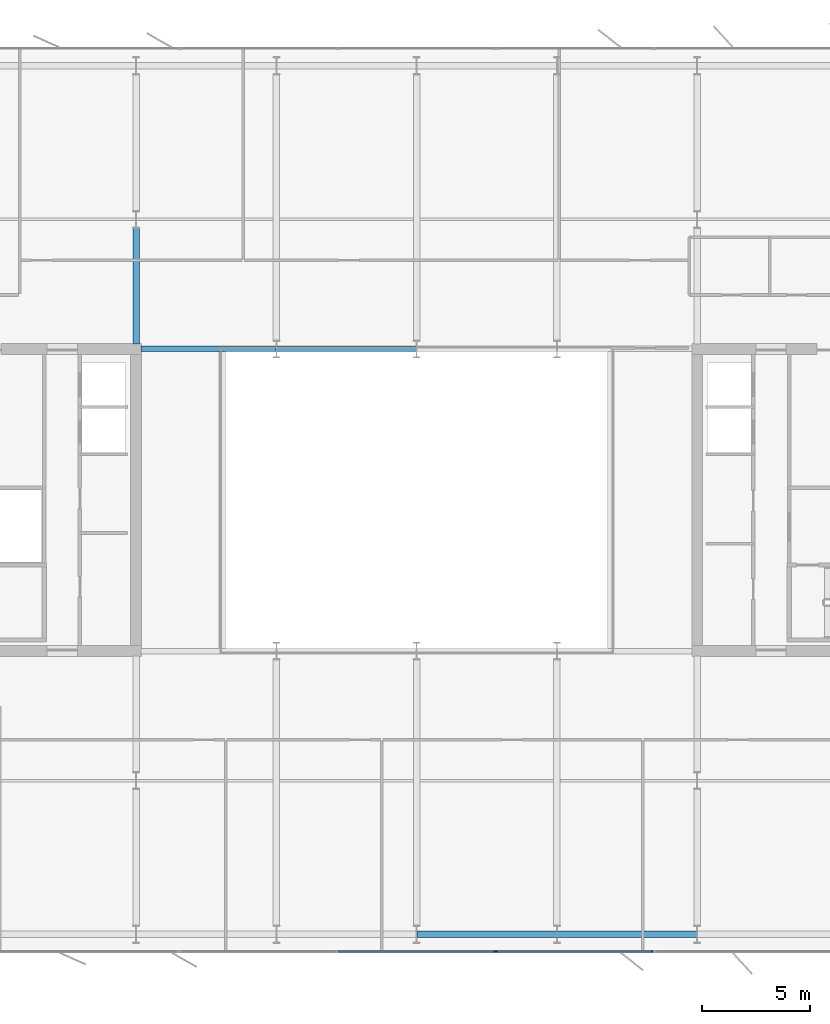
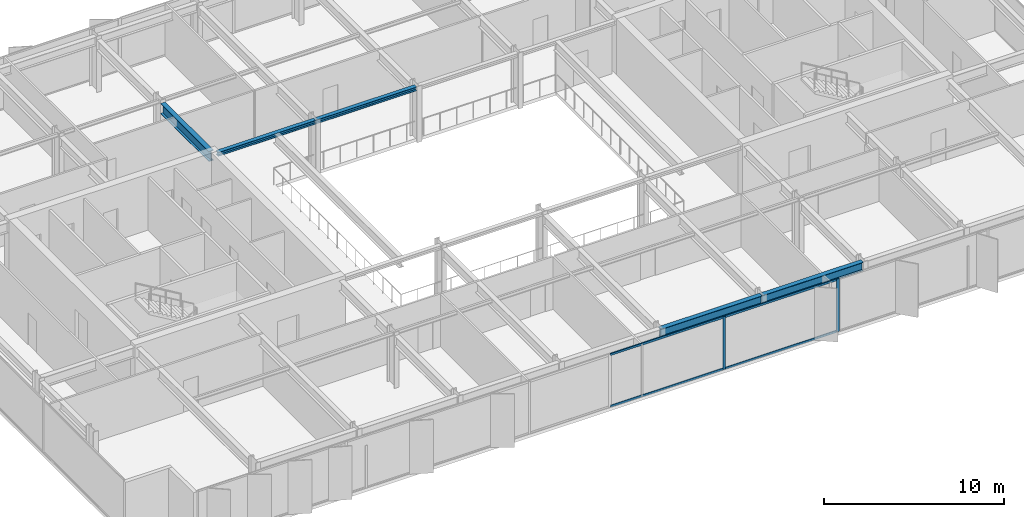
# One storey, part 6 of 23: 6 members, 5 beams, 1 element without a shape of its own.
"""IFC4 building model written with IfcOpenShell, lengths in metres."""

from ifc_helpers import new_model, si_unit, direction, frame, origin, origin_2d, place, context, subcontext, project, spatial, rectangle, i_section, extrude, material, layer, layer_set, material_profile, profile_set, type_object, element, aggregate, save


model = new_model("IFC4")

# Units and contexts
model_context = context("Model", 3, precision=1e-05, world=origin(), true_north=direction((0.0, 1.0)))
body_context = subcontext(model_context, "Body", "Model", "MODEL_VIEW")
ifc_project = project(units=[si_unit("LENGTHUNIT", "METRE"), si_unit("AREAUNIT", "SQUARE_METRE"), si_unit("VOLUMEUNIT", "CUBIC_METRE"), si_unit("PLANEANGLEUNIT", "RADIAN"), si_unit("MASSUNIT", "GRAM", prefix="KILO")], contexts=[model_context])

# Site, building, storey
site_placement = place(None, origin())
site = spatial("IfcSite", under=ifc_project, at=site_placement, CompositionType="ELEMENT")
building_placement = place(site_placement, origin())
building = spatial("IfcBuilding", under=site, at=building_placement, Name="Putna Gate Headquarters", CompositionType="ELEMENT")
storey_placement = place(building_placement, frame((0.0, 0.0, 210.0)))
storey = spatial("IfcBuildingStorey", under=building, at=storey_placement, Name="L52", CompositionType="ELEMENT", Elevation=210.0)

# Beams
ifc_material_1 = material(Name="Steel S355J2", Category="steel")
ifc_material_profile_1 = material_profile(ifc_material_1, i_section(OverallWidth=0.260009765625, OverallDepth=0.260009765625, WebThickness=0.010009765625, FlangeThickness=0.017578125, at=origin_2d()), Name="Steel S355J2")
ifc_profile_set_1 = profile_set([ifc_material_profile_1], Name="Steel S355J2")
beam_type_1 = type_object("IfcBeamType", Name="BM-ATRIUM-HEB260", PredefinedType="BEAM", material=ifc_profile_set_1)
beam_1_placement = place(storey_placement, frame((26.235107421875, 33.0, 3.449951171875), z_axis=(1.0, 0.0, 0.0), x_axis=(0.0, 1.0, 0.0)))
element("IfcBeam", 1, at=beam_1_placement, inside=storey, type_object=beam_type_1, Name="L52 Atrium Edge Beam AN1", PredefinedType="BEAM", context=body_context, shape_type="SweptSolid", body=[
    extrude(i_section(OverallWidth=0.260009765625, OverallDepth=0.260009765625, WebThickness=0.010009765625, FlangeThickness=0.017578125, at=origin_2d()), origin(), (0.0, 0.0, 1.0), 6.2587890625),
])
beam_2_placement = place(storey_placement, frame((32.506103515625, 33.0, 3.449951171875), z_axis=(1.0, 0.0, 0.0), x_axis=(0.0, 1.0, 0.0)))
element("IfcBeam", 2, at=beam_2_placement, inside=storey, type_object=beam_type_1, Name="L52 Atrium Edge Beam AN2", PredefinedType="BEAM", context=body_context, shape_type="SweptSolid", body=[
    extrude(i_section(OverallWidth=0.260009765625, OverallDepth=0.260009765625, WebThickness=0.010009765625, FlangeThickness=0.017578125, at=origin_2d()), origin(), (0.0, 0.0, 1.0), 6.48779296875),
])
ifc_material_profile_2 = material_profile(ifc_material_1, i_section(OverallWidth=0.300048828125, OverallDepth=0.699951171875, WebThickness=0.01708984375, FlangeThickness=0.031982421875, at=origin_2d()), Name="Steel S355J2")
ifc_profile_set_2 = profile_set([ifc_material_profile_2], Name="Steel S355J2")
beam_type_2 = type_object("IfcBeamType", Name="BM-GIRD-B-HEB700", PredefinedType="USERDEFINED", material=ifc_profile_set_2)
beam_3_placement = place(storey_placement, frame((26.0, 33.235107421875, 3.22998046875), z_axis=(0.0, 1.0, 0.0), x_axis=(-1.0, 0.0, 0.0)))
element("IfcBeam", 3, at=beam_3_placement, inside=storey, type_object=beam_type_2, Name="L52 North Primary Girder X26-1", ObjectType="GIRDER", PredefinedType="USERDEFINED", context=body_context, shape_type="SweptSolid", body=[
    extrude(i_section(OverallWidth=0.300048828125, OverallDepth=0.699951171875, WebThickness=0.01708984375, FlangeThickness=0.031982421875, at=origin_2d()), origin(), (0.0, 0.0, 1.0), 5.369873046875),
])
ifc_material_profile_3 = material_profile(ifc_material_1, i_section(OverallWidth=0.300048828125, OverallDepth=0.590087890625, WebThickness=0.012939453125, FlangeThickness=0.02490234375, at=origin_2d()), Name="Steel S355J2")
ifc_profile_set_3 = profile_set([ifc_material_profile_3], Name="Steel S355J2")
beam_type_3 = type_object("IfcBeamType", Name="BM-SPAN-Z4-HEA600", PredefinedType="SPANDREL", material=ifc_profile_set_3)
for number, where, z_axis, x_axis, name in (
    (4, (39.006103515625, 5.8798828125, 3.284912109375), (1.0, 0.0, 0.0), (0.0, 1.0, 0.0), "L52 S Perimeter Spandrel 5"),
    (5, (45.506103515625, 5.8798828125, 3.284912109375), (1.0, 0.0, 0.0), (0.0, 1.0, 0.0), "L52 S Perimeter Spandrel 6"),
):
    element("IfcBeam", number, at=place(storey_placement, frame(where, z_axis=z_axis, x_axis=x_axis)), inside=storey, type_object=beam_type_3, Name=name, PredefinedType="SPANDREL", context=body_context, shape_type="SweptSolid", body=[
        extrude(i_section(OverallWidth=0.300048828125, OverallDepth=0.590087890625, WebThickness=0.012939453125, FlangeThickness=0.02490234375, at=origin_2d()), origin(), (0.0, 0.0, 1.0), 6.48779296875),
    ])

# Curtain wall, members
ifc_material_2 = material(Name="Anodised bronze aluminium curtain wall", Category="aluminium")
ifc_layer = layer(ifc_material_2, 0.179931640625)
ifc_layer_set = layer_set([ifc_layer], Name="Anodised bronze aluminium curtain wall")
curtain_wall_type = type_object("IfcCurtainWallType", Name="CW-SYS-ATR", PredefinedType="USERDEFINED", material=ifc_layer_set)
curtain_wall_placement = place(storey_placement, origin())
curtain_wall = element("IfcCurtainWall", 6, at=curtain_wall_placement, inside=storey, type_object=curtain_wall_type, Name="L52 South Atrium Clear Glazing", ObjectType="ATRIUM GLAZING", PredefinedType="USERDEFINED")
ifc_material_3 = material(Name="Anodised bronze aluminium EN AW-6060", Category="aluminium")
ifc_material_profile_4 = material_profile(ifc_material_3, rectangle(XDim=0.070068359375, YDim=0.179931640625, at=origin_2d()), Name="Anodised bronze aluminium EN AW-6060")
ifc_profile_set_4 = profile_set([ifc_material_profile_4], Name="Anodised bronze aluminium EN AW-6060")
member_type_1 = type_object("IfcMemberType", Name="MULL-CWM-AT", PredefinedType="MULLION", material=ifc_profile_set_4)
member_1_placement = place(storey_placement, frame((42.666748046875, 5.080078125, 0.0), z_axis=(0.0, 0.0, 1.0), x_axis=(0.0, 1.0, 0.0)))
member_1 = element("IfcMember", 7, at=member_1_placement, type_object=member_type_1, Name="CWS-AT mullion 3", PredefinedType="MULLION", context=body_context, shape_type="SweptSolid", body=[
    extrude(rectangle(XDim=0.070068359375, YDim=0.179931640625, at=origin_2d()), origin(), (0.0, 0.0, 1.0), 3.580078125),
])
member_2_placement = place(storey_placement, frame((49.965087890625, 5.080078125, 0.0), z_axis=(0.0, 0.0, 1.0), x_axis=(0.0, 1.0, 0.0)))
member_2 = element("IfcMember", 8, at=member_2_placement, type_object=member_type_1, Name="CWS-AT mullion 4", PredefinedType="MULLION", context=body_context, shape_type="SweptSolid", body=[
    extrude(rectangle(XDim=0.070068359375, YDim=0.179931640625, at=origin_2d()), origin(), (0.0, 0.0, 1.0), 3.580078125),
])
ifc_material_profile_5 = material_profile(ifc_material_3, rectangle(XDim=0.070068359375, YDim=0.139892578125, at=origin_2d()), Name="Anodised bronze aluminium EN AW-6060")
ifc_profile_set_5 = profile_set([ifc_material_profile_5], Name="Anodised bronze aluminium EN AW-6060")
member_type_2 = type_object("IfcMemberType", Name="TRAN-CWT-AT", PredefinedType="USERDEFINED", material=ifc_profile_set_5)
member_3_placement = place(storey_placement, frame((35.368408203125, 5.080078125, 0.034912109375), z_axis=(1.0, 0.0, 0.0), x_axis=(0.0, 1.0, 0.0)))
member_3 = element("IfcMember", 9, at=member_3_placement, type_object=member_type_2, Name="CWS-AT transom 2.1", ObjectType="TRANSOM", PredefinedType="USERDEFINED", context=body_context, shape_type="SweptSolid", body=[
    extrude(rectangle(XDim=0.070068359375, YDim=0.139892578125, at=origin_2d()), origin(), (0.0, 0.0, 1.0), 7.26318359375),
])
member_4_placement = place(storey_placement, frame((35.368408203125, 5.080078125, 3.544921875), z_axis=(1.0, 0.0, 0.0), x_axis=(0.0, 1.0, 0.0)))
member_4 = element("IfcMember", 10, at=member_4_placement, type_object=member_type_2, Name="CWS-AT transom 2.2", ObjectType="TRANSOM", PredefinedType="USERDEFINED", context=body_context, shape_type="SweptSolid", body=[
    extrude(rectangle(XDim=0.070068359375, YDim=0.139892578125, at=origin_2d()), origin(), (0.0, 0.0, 1.0), 7.26318359375),
])
member_5_placement = place(storey_placement, frame((42.70166015625, 5.080078125, 0.034912109375), z_axis=(1.0, 0.0, 0.0), x_axis=(0.0, 1.0, 0.0)))
member_5 = element("IfcMember", 11, at=member_5_placement, type_object=member_type_2, Name="CWS-AT transom 3.1", ObjectType="TRANSOM", PredefinedType="USERDEFINED", context=body_context, shape_type="SweptSolid", body=[
    extrude(rectangle(XDim=0.070068359375, YDim=0.139892578125, at=origin_2d()), origin(), (0.0, 0.0, 1.0), 7.228271484375),
])
member_6_placement = place(storey_placement, frame((42.70166015625, 5.080078125, 3.544921875), z_axis=(1.0, 0.0, 0.0), x_axis=(0.0, 1.0, 0.0)))
member_6 = element("IfcMember", 12, at=member_6_placement, type_object=member_type_2, Name="CWS-AT transom 3.2", ObjectType="TRANSOM", PredefinedType="USERDEFINED", context=body_context, shape_type="SweptSolid", body=[
    extrude(rectangle(XDim=0.070068359375, YDim=0.139892578125, at=origin_2d()), origin(), (0.0, 0.0, 1.0), 7.228271484375),
])
aggregate(curtain_wall, [member_1, member_2, member_3, member_4, member_5, member_6])

save(model, "model.ifc")
